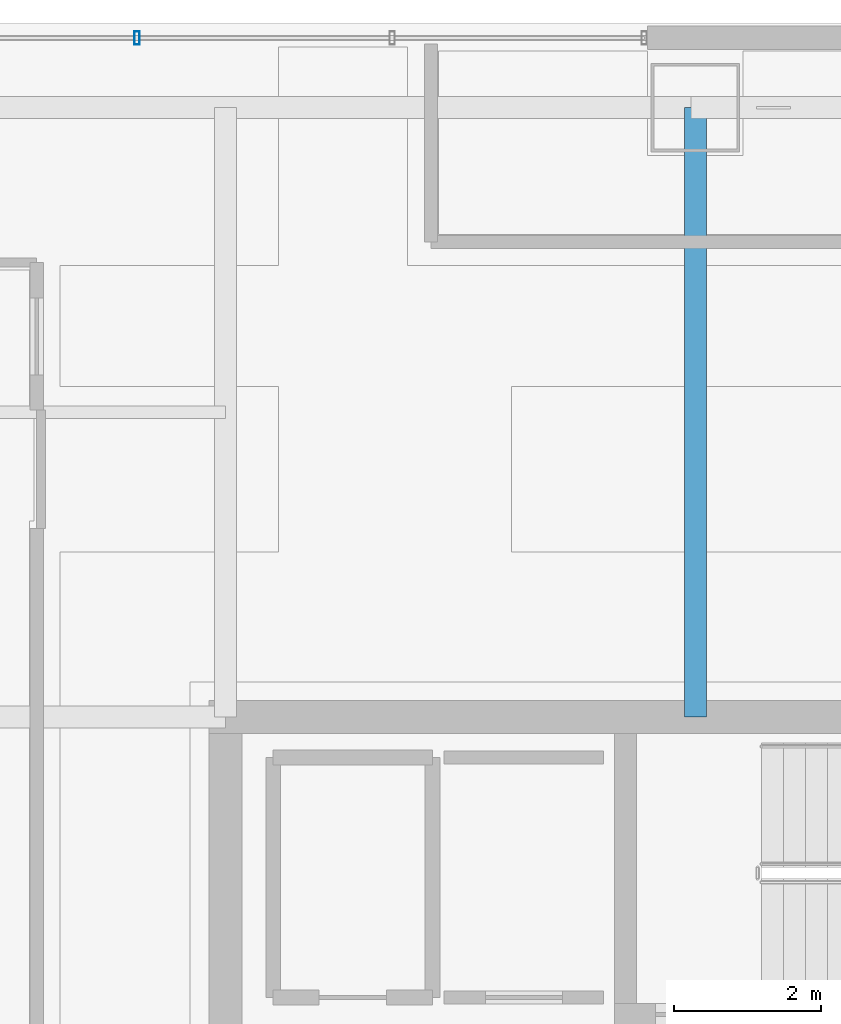
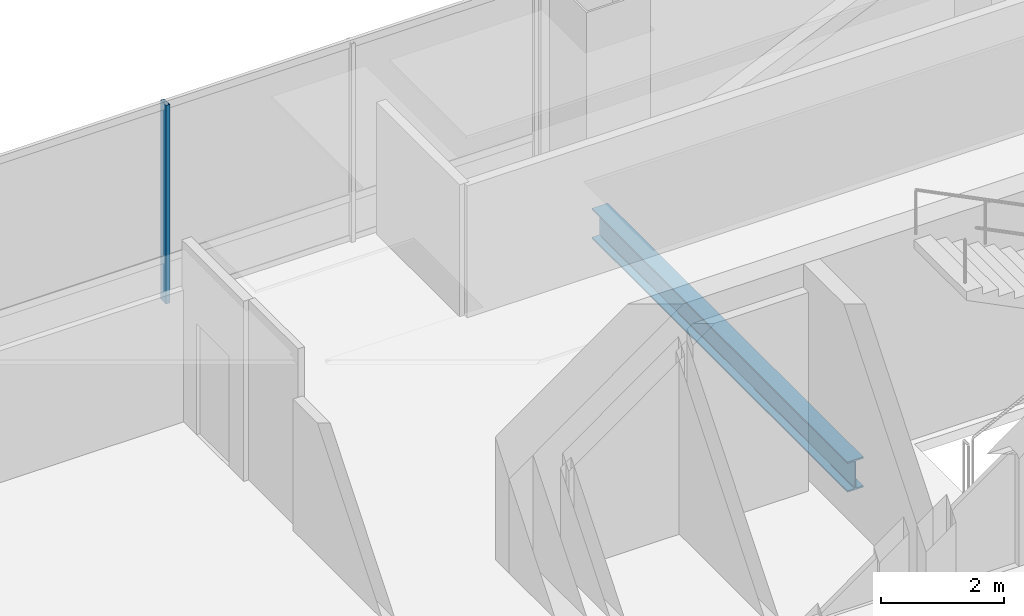
# One storey, part 28 of 46: 1 beam, 1 member, 1 element without a shape of its own.
"""IFC4 building model written with IfcOpenShell, lengths in metres."""

from ifc_helpers import new_model, si_unit, direction, frame, origin, origin_2d, place, context, subcontext, project, spatial, hollow_rectangle, i_section, extrude, material, material_profile, profile_set, type_object, element, aggregate, save


model = new_model("IFC4")

# Units and contexts
model_context = context("Model", 3, precision=1e-05, world=origin(), true_north=direction((0.0, 1.0)))
body_context = subcontext(model_context, "Body", "Model", "MODEL_VIEW")
ifc_project = project(units=[si_unit("LENGTHUNIT", "METRE"), si_unit("AREAUNIT", "SQUARE_METRE"), si_unit("VOLUMEUNIT", "CUBIC_METRE"), si_unit("PLANEANGLEUNIT", "RADIAN"), si_unit("MASSUNIT", "GRAM", prefix="KILO")], contexts=[model_context])

# Site, building, storey
site_placement = place(None, origin())
site = spatial("IfcSite", under=ifc_project, at=site_placement, CompositionType="ELEMENT")
building_placement = place(site_placement, origin())
building = spatial("IfcBuilding", under=site, at=building_placement, Name="Punatoya Terracotta Tower", CompositionType="ELEMENT")
storey_placement = place(building_placement, frame((0.0, 0.0, 330.0)))
storey = spatial("IfcBuildingStorey", under=building, at=storey_placement, Name="L78", CompositionType="ELEMENT", Elevation=330.0)

# Beam
ifc_material_1 = material(Name="Steel S355", Category="steel")
ifc_material_profile_1 = material_profile(ifc_material_1, i_section(OverallWidth=0.300048828125, OverallDepth=0.60009765625, WebThickness=0.015380859375, FlangeThickness=0.030029296875, FilletRadius=0.01806640625, at=origin_2d()))
ifc_profile_set_1 = profile_set([ifc_material_profile_1], Name="Steel S355")
beam_type = type_object("IfcBeamType", Name="BM-PRI-600", PredefinedType="BEAM", material=ifc_profile_set_1)
beam_placement = place(storey_placement, frame((-3.800048828125, 9.199951171875, -0.5), z_axis=(0.0, 1.0, 0.0), x_axis=(-1.0, 0.0, 0.0)))
element("IfcBeam", 1, at=beam_placement, inside=storey, type_object=beam_type, Name="BM-L78-PR-N2", PredefinedType="BEAM", context=body_context, shape_type="SweptSolid", body=[
    extrude(i_section(OverallWidth=0.300048828125, OverallDepth=0.60009765625, WebThickness=0.015380859375, FlangeThickness=0.030029296875, FilletRadius=0.01806640625, at=origin_2d()), origin(), (0.0, 0.0, 1.0), 8.300048828125),
])

# Curtain wall, member
ifc_material_2 = material(Name="Aluminium 6063-T6 + Double Low-E Glass", Category="aluminium")
curtain_wall_type = type_object("IfcCurtainWallType", Name="CW-OBS", PredefinedType="NOTDEFINED", material=ifc_material_2)
curtain_wall_placement = place(storey_placement, origin())
curtain_wall = element("IfcCurtainWall", 2, at=curtain_wall_placement, inside=storey, type_object=curtain_wall_type, Name="L78 Curtain Wall CW-L78-N09-2", PredefinedType="NOTDEFINED")
ifc_material_3 = material(Name="Aluminium 6063-T6", Category="aluminium")
ifc_material_profile_2 = material_profile(ifc_material_3, hollow_rectangle(XDim=0.070068359375, YDim=0.179931640625, WallThickness=0.00390625, at=origin_2d()))
ifc_profile_set_2 = profile_set([ifc_material_profile_2], Name="Aluminium 6063-T6")
member_type = type_object("IfcMemberType", Name="CW-MUL-M3", PredefinedType="MULLION", material=ifc_profile_set_2)
member_placement = place(storey_placement, frame((-11.40478515625, 18.449951171875, 0.0), z_axis=(0.0, 0.0, 1.0), x_axis=(1.0, 0.0, 0.0)))
member = element("IfcMember", 3, at=member_placement, type_object=member_type, Name="CW-L78-N09-2 Mullion 02", PredefinedType="MULLION", context=body_context, shape_type="SweptSolid", body=[
    extrude(hollow_rectangle(XDim=0.070068359375, YDim=0.179931640625, WallThickness=0.00390625, at=origin_2d()), origin(), (0.0, 0.0, 1.0), 3.93994140625),
])
aggregate(curtain_wall, [member])

save(model, "model.ifc")
